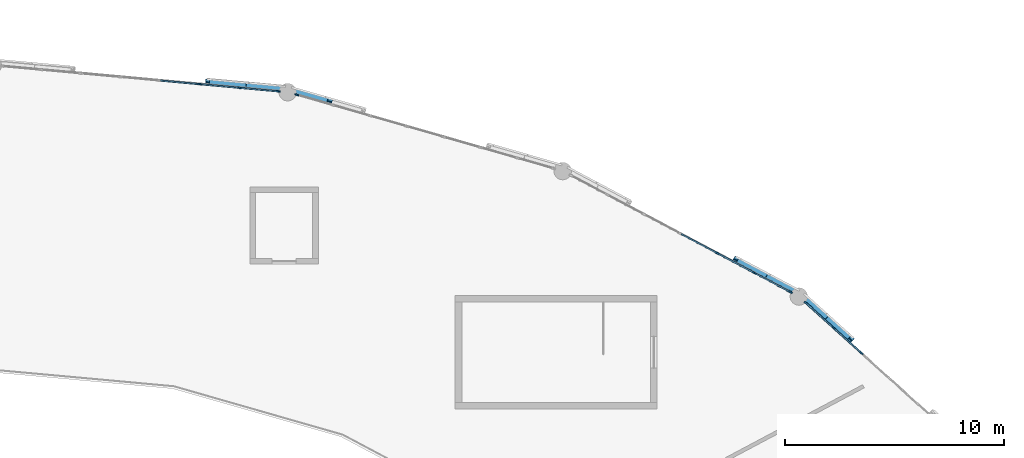
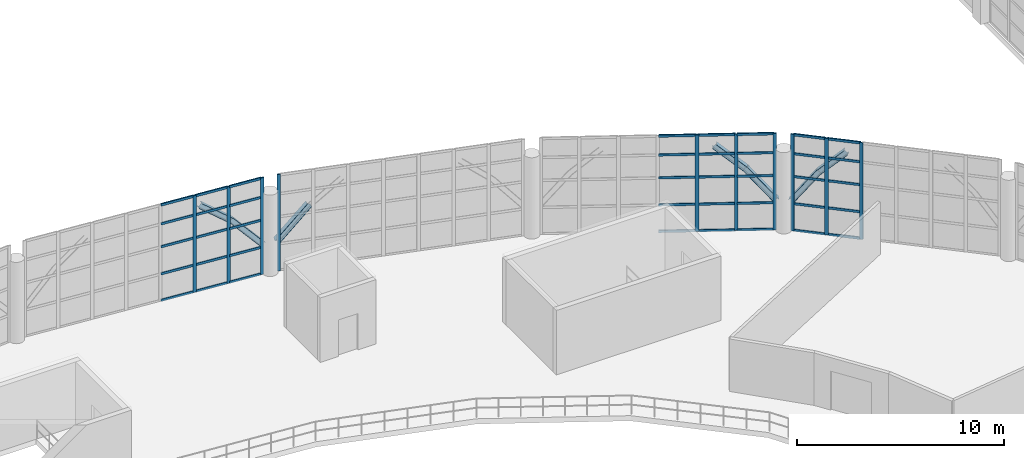
# One storey, part 43 of 109: 50 members, 7 beams, 4 elements without a shape of their own.
"""IFC4 building model written with IfcOpenShell, lengths in metres."""

from ifc_helpers import new_model, si_unit, direction, frame, origin, origin_2d, place, context, subcontext, project, spatial, rectangle, i_section, extrude, material, layer, layer_set, material_profile, profile_set, type_object, element, aggregate, save


model = new_model("IFC4")

# Units and contexts
model_context = context("Model", 3, precision=1e-05, world=origin(), true_north=direction((0.0, 1.0)))
body_context = subcontext(model_context, "Body", "Model", "MODEL_VIEW")
ifc_project = project(units=[si_unit("LENGTHUNIT", "METRE"), si_unit("AREAUNIT", "SQUARE_METRE"), si_unit("VOLUMEUNIT", "CUBIC_METRE"), si_unit("PLANEANGLEUNIT", "RADIAN"), si_unit("MASSUNIT", "GRAM", prefix="KILO")], contexts=[model_context])

# Site, building, storey
site_placement = place(None, origin())
site = spatial("IfcSite", under=ifc_project, at=site_placement, CompositionType="ELEMENT")
building_placement = place(site_placement, origin())
building = spatial("IfcBuilding", under=site, at=building_placement, Name="Kivolera Central Railway Station", CompositionType="ELEMENT")
storey_placement = place(building_placement, frame((0.0, 0.0, 9.60009765625)))
storey = spatial("IfcBuildingStorey", under=building, at=storey_placement, Name="L02", CompositionType="ELEMENT", Elevation=9.60009765625)

# Beams
ifc_material_1 = material(Name="Steel S355", Category="steel")
ifc_material_profile_1 = material_profile(ifc_material_1, i_section(OverallWidth=0.300048828125, OverallDepth=0.300048828125, WebThickness=0.010986328125, FlangeThickness=0.01904296875, FilletRadius=0.027099609375, at=origin_2d()), Name="HEB 300")
ifc_profile_set_1 = profile_set([ifc_material_profile_1], Name="Steel S355")
beam_type = type_object("IfcBeamType", Name="BM-LANT-ARCH", PredefinedType="SPANDREL", material=ifc_profile_set_1)
beam_1_placement = place(storey_placement, frame((103.125, 113.491943359375, 4.9599609375), z_axis=(-0.523541860039, 0.473044746716, -0.708613144382), x_axis=(-0.670417548864, -0.741984036334, 0.0)))
element("IfcBeam", 1, at=beam_1_placement, inside=storey, type_object=beam_type, Name="Oval Lantern Structural Arch Rib 03.5", PredefinedType="SPANDREL", context=body_context, shape_type="SweptSolid", body=[
    extrude(i_section(OverallWidth=0.300048828125, OverallDepth=0.300048828125, WebThickness=0.010986328125, FlangeThickness=0.01904296875, FilletRadius=0.027099609375, at=origin_2d()), origin(), (0.0, 0.0, 1.0), 1.91943359375),
])
beam_2_placement = place(storey_placement, frame((102.1201171875, 114.39990234375, 3.599853515625), z_axis=(-0.431185404632, 0.388705114828, -0.814240431653), x_axis=(-0.669571929078, -0.742747219309, 0.0)))
element("IfcBeam", 2, at=beam_2_placement, inside=storey, type_object=beam_type, Name="Oval Lantern Structural Arch Rib 03.6", PredefinedType="SPANDREL", context=body_context, shape_type="SweptSolid", body=[
    extrude(i_section(OverallWidth=0.300048828125, OverallDepth=0.300048828125, WebThickness=0.010986328125, FlangeThickness=0.01904296875, FilletRadius=0.027099609375, at=origin_2d()), origin(), (0.0, 0.0, 1.0), 2.333251953125),
])
beam_3_placement = place(storey_placement, frame((100.512939453125, 115.72900390625, 1.699951171875), z_axis=(-0.545793526842, 0.289668648918, 0.786257909271), x_axis=(-0.468796526023, -0.883306185413, 0.0)))
element("IfcBeam", 3, at=beam_3_placement, inside=storey, type_object=beam_type, Name="Oval Lantern Structural Arch Rib 04.1", PredefinedType="SPANDREL", context=body_context, shape_type="SweptSolid", body=[
    extrude(i_section(OverallWidth=0.300048828125, OverallDepth=0.300048828125, WebThickness=0.010986328125, FlangeThickness=0.01904296875, FilletRadius=0.027099609375, at=origin_2d()), origin(), (0.0, 0.0, 1.0), 2.41650390625),
])
beam_4_placement = place(storey_placement, frame((99.194091796875, 116.428955078125, 3.599853515625), z_axis=(-0.652784182999, 0.346644240166, 0.673580419242), x_axis=(-0.468999731448, -0.883198308367, 0.0)))
element("IfcBeam", 4, at=beam_4_placement, inside=storey, type_object=beam_type, Name="Oval Lantern Structural Arch Rib 04.2", PredefinedType="SPANDREL", context=body_context, shape_type="SweptSolid", body=[
    extrude(i_section(OverallWidth=0.300048828125, OverallDepth=0.300048828125, WebThickness=0.010986328125, FlangeThickness=0.01904296875, FilletRadius=0.027099609375, at=origin_2d()), origin(), (0.0, 0.0, 1.0), 2.019287109375),
])
beam_5_placement = place(storey_placement, frame((79.375, 124.347900390625, 3.599853515625), z_axis=(-0.620093626419, 0.17819346611, -0.764022894363), x_axis=(-0.276187953411, -0.961103643938, 0.0)))
element("IfcBeam", 5, at=beam_5_placement, inside=storey, type_object=beam_type, Name="Oval Lantern Structural Arch Rib 05.6", PredefinedType="SPANDREL", context=body_context, shape_type="SweptSolid", body=[
    extrude(i_section(OverallWidth=0.300048828125, OverallDepth=0.300048828125, WebThickness=0.010986328125, FlangeThickness=0.01904296875, FilletRadius=0.027099609375, at=origin_2d()), origin(), (0.0, 0.0, 1.0), 2.48681640625),
])
beam_6_placement = place(storey_placement, frame((77.115966796875, 124.925048828125, 1.699951171875), z_axis=(-0.656109286691, 0.059742970263, 0.752297402244), x_axis=(-0.090681275799, -0.995879965769, 0.0)))
element("IfcBeam", 6, at=beam_6_placement, inside=storey, type_object=beam_type, Name="Oval Lantern Structural Arch Rib 06.1", PredefinedType="SPANDREL", context=body_context, shape_type="SweptSolid", body=[
    extrude(i_section(OverallWidth=0.300048828125, OverallDepth=0.300048828125, WebThickness=0.010986328125, FlangeThickness=0.01904296875, FilletRadius=0.027099609375, at=origin_2d()), origin(), (0.0, 0.0, 1.0), 2.525390625),
])
beam_7_placement = place(storey_placement, frame((75.458984375, 125.075927734375, 3.599853515625), z_axis=(-0.771222269033, 0.07029694957, 0.632672546132), x_axis=(-0.090773742358, -0.995871541765, 0.0)))
element("IfcBeam", 7, at=beam_7_placement, inside=storey, type_object=beam_type, Name="Oval Lantern Structural Arch Rib 06.2", PredefinedType="SPANDREL", context=body_context, shape_type="SweptSolid", body=[
    extrude(i_section(OverallWidth=0.300048828125, OverallDepth=0.300048828125, WebThickness=0.010986328125, FlangeThickness=0.01904296875, FilletRadius=0.027099609375, at=origin_2d()), origin(), (0.0, 0.0, 1.0), 2.14990234375),
])

# Curtain wall, members
ifc_material_2 = material(Name="Anodised aluminium", Category="aluminium")
ifc_layer_1 = layer(ifc_material_2, 0.179931640625, Name="Anodised aluminium")
ifc_layer_set_1 = layer_set([ifc_layer_1], Name="Anodised aluminium")
curtain_wall_type_1 = type_object("IfcCurtainWallType", Name="CW-SYS-06", PredefinedType="NOTDEFINED", material=ifc_layer_set_1)
curtain_wall_1_placement = place(storey_placement, origin())
curtain_wall_1 = element("IfcCurtainWall", 8, at=curtain_wall_1_placement, inside=storey, type_object=curtain_wall_type_1, Name="L02 Curtain Wall CW-L02-OVL-02", PredefinedType="NOTDEFINED")
ifc_material_profile_2 = material_profile(ifc_material_2, rectangle(XDim=0.070068359375, YDim=0.179931640625, at=origin_2d()), Name="ALU MULL 70x180")
ifc_profile_set_2 = profile_set([ifc_material_profile_2], Name="Anodised aluminium")
member_type_1 = type_object("IfcMemberType", Name="CWM-MUL-1", PredefinedType="MULLION", material=ifc_profile_set_2)
member_1_placement = place(storey_placement, frame((101.093017578125, 115.16455078125, -0.005126953125), z_axis=(0.0, 0.0, 1.0), x_axis=(0.66992157428, 0.742431871833, 0.0)))
member_1 = element("IfcMember", 9, at=member_1_placement, type_object=member_type_1, Name="CW-06 mullion 1", PredefinedType="MULLION", context=body_context, shape_type="SweptSolid", body=[
    extrude(rectangle(XDim=0.070068359375, YDim=0.179931640625, at=origin_2d()), origin(), (0.0, 0.0, 1.0), 5.705078125),
])
member_2_placement = place(storey_placement, frame((102.34521484375, 114.03466796875, -0.005126953125), z_axis=(0.0, 0.0, 1.0), x_axis=(0.66992157428, 0.742431871833, 0.0)))
member_2 = element("IfcMember", 10, at=member_2_placement, type_object=member_type_1, Name="CW-06 mullion 2", PredefinedType="MULLION", context=body_context, shape_type="SweptSolid", body=[
    extrude(rectangle(XDim=0.070068359375, YDim=0.179931640625, at=origin_2d()), origin(), (0.0, 0.0, 1.0), 5.705078125),
])
member_3_placement = place(storey_placement, frame((103.623291015625, 112.88134765625, -0.005126953125), z_axis=(0.0, 0.0, 1.0), x_axis=(0.66992157428, 0.742431871833, 0.0)))
member_3 = element("IfcMember", 11, at=member_3_placement, type_object=member_type_1, Name="CW-06 mullion 3", PredefinedType="MULLION", context=body_context, shape_type="SweptSolid", body=[
    extrude(rectangle(XDim=0.070068359375, YDim=0.179931640625, at=origin_2d()), origin(), (0.0, 0.0, 1.0), 5.705078125),
])

ifc_layer_2 = layer(ifc_material_2, 0.179931640625, Name="Anodised aluminium")
ifc_layer_set_2 = layer_set([ifc_layer_2], Name="Anodised aluminium")
curtain_wall_type_2 = type_object("IfcCurtainWallType", Name="CW-SYS-09", PredefinedType="NOTDEFINED", material=ifc_layer_set_2)
curtain_wall_2_placement = place(storey_placement, origin())
curtain_wall_2 = element("IfcCurtainWall", 12, at=curtain_wall_2_placement, inside=storey, type_object=curtain_wall_type_2, Name="L02 Curtain Wall CW-L02-OVL-03", PredefinedType="NOTDEFINED")
member_4_placement = place(storey_placement, frame((97.062255859375, 117.42578125, -0.005126953125), z_axis=(0.0, 0.0, 1.0), x_axis=(0.469052563023, 0.883170251493, 0.0)))
member_4 = element("IfcMember", 13, at=member_4_placement, type_object=member_type_1, Name="CW-09 mullion 5", PredefinedType="MULLION", context=body_context, shape_type="SweptSolid", body=[
    extrude(rectangle(XDim=0.070068359375, YDim=0.179931640625, at=origin_2d()), origin(), (0.0, 0.0, 1.0), 5.705078125),
])
member_5_placement = place(storey_placement, frame((98.73974609375, 116.534912109375, -0.005126953125), z_axis=(0.0, 0.0, 1.0), x_axis=(0.469052563023, 0.883170251493, 0.0)))
member_5 = element("IfcMember", 14, at=member_5_placement, type_object=member_type_1, Name="CW-09 mullion 6", PredefinedType="MULLION", context=body_context, shape_type="SweptSolid", body=[
    extrude(rectangle(XDim=0.070068359375, YDim=0.179931640625, at=origin_2d()), origin(), (0.0, 0.0, 1.0), 5.705078125),
])
member_6_placement = place(storey_placement, frame((100.385986328125, 115.660400390625, -0.005126953125), z_axis=(0.0, 0.0, 1.0), x_axis=(0.469052563023, 0.883170251493, 0.0)))
member_6 = element("IfcMember", 15, at=member_6_placement, type_object=member_type_1, Name="CW-09 mullion 7", PredefinedType="MULLION", context=body_context, shape_type="SweptSolid", body=[
    extrude(rectangle(XDim=0.070068359375, YDim=0.179931640625, at=origin_2d()), origin(), (0.0, 0.0, 1.0), 5.705078125),
])

# Curtain wall, member
ifc_layer_3 = layer(ifc_material_2, 0.179931640625, Name="Anodised aluminium")
ifc_layer_set_3 = layer_set([ifc_layer_3], Name="Anodised aluminium")
curtain_wall_type_3 = type_object("IfcCurtainWallType", Name="CW-SYS-11", PredefinedType="NOTDEFINED", material=ifc_layer_set_3)
curtain_wall_3_placement = place(storey_placement, origin())
curtain_wall_3 = element("IfcCurtainWall", 16, at=curtain_wall_3_placement, inside=storey, type_object=curtain_wall_type_3, Name="L02 Curtain Wall CW-L02-OVL-04", PredefinedType="NOTDEFINED")
member_7_placement = place(storey_placement, frame((77.877685546875, 124.6533203125, -0.005126953125), z_axis=(0.0, 0.0, 1.0), x_axis=(0.27569168989, 0.961246114232, 0.0)))
member_7 = element("IfcMember", 17, at=member_7_placement, type_object=member_type_1, Name="CW-11 mullion 1", PredefinedType="MULLION", context=body_context, shape_type="SweptSolid", body=[
    extrude(rectangle(XDim=0.070068359375, YDim=0.179931640625, at=origin_2d()), origin(), (0.0, 0.0, 1.0), 5.705078125),
])
aggregate(curtain_wall_3, [member_7])

# Curtain wall, members
ifc_layer_4 = layer(ifc_material_2, 0.179931640625, Name="Anodised aluminium")
ifc_layer_set_4 = layer_set([ifc_layer_4], Name="Anodised aluminium")
curtain_wall_type_4 = type_object("IfcCurtainWallType", Name="CW-SYS-13", PredefinedType="NOTDEFINED", material=ifc_layer_set_4)
curtain_wall_4_placement = place(storey_placement, origin())
curtain_wall_4 = element("IfcCurtainWall", 18, at=curtain_wall_4_placement, inside=storey, type_object=curtain_wall_type_4, Name="L02 Curtain Wall CW-L02-OVL-05", PredefinedType="NOTDEFINED")
member_8_placement = place(storey_placement, frame((73.443115234375, 125.138916015625, -0.005126953125), z_axis=(0.0, 0.0, 1.0), x_axis=(0.090833556942, 0.995866087852, 0.0)))
member_8 = element("IfcMember", 19, at=member_8_placement, type_object=member_type_1, Name="CW-13 mullion 6", PredefinedType="MULLION", context=body_context, shape_type="SweptSolid", body=[
    extrude(rectangle(XDim=0.070068359375, YDim=0.179931640625, at=origin_2d()), origin(), (0.0, 0.0, 1.0), 5.705078125),
])
member_9_placement = place(storey_placement, frame((75.251953125, 124.97412109375, -0.005126953125), z_axis=(0.0, 0.0, 1.0), x_axis=(0.090833556942, 0.995866087852, 0.0)))
member_9 = element("IfcMember", 20, at=member_9_placement, type_object=member_type_1, Name="CW-13 mullion 7", PredefinedType="MULLION", context=body_context, shape_type="SweptSolid", body=[
    extrude(rectangle(XDim=0.070068359375, YDim=0.179931640625, at=origin_2d()), origin(), (0.0, 0.0, 1.0), 5.705078125),
])
member_10_placement = place(storey_placement, frame((77.026123046875, 124.812255859375, -0.005126953125), z_axis=(0.0, 0.0, 1.0), x_axis=(0.090833556942, 0.995866087852, 0.0)))
member_10 = element("IfcMember", 21, at=member_10_placement, type_object=member_type_1, Name="CW-13 mullion 8", PredefinedType="MULLION", context=body_context, shape_type="SweptSolid", body=[
    extrude(rectangle(XDim=0.070068359375, YDim=0.179931640625, at=origin_2d()), origin(), (0.0, 0.0, 1.0), 5.705078125),
])

# Member
ifc_material_profile_3 = material_profile(ifc_material_2, rectangle(XDim=0.070068359375, YDim=0.139892578125, at=origin_2d()), Name="ALU TRAN 70x140")
ifc_profile_set_3 = profile_set([ifc_material_profile_3], Name="Anodised aluminium")
member_type_2 = type_object("IfcMemberType", Name="CWM-TRN-1", PredefinedType="USERDEFINED", material=ifc_profile_set_3)
member_11_placement = place(storey_placement, frame((101.118896484375, 115.14111328125, 0.034912109375), z_axis=(0.742422429893, -0.66993203804, 0.0), x_axis=(0.66993203804, 0.742422429893, 0.0)))
member_11 = element("IfcMember", 22, at=member_11_placement, type_object=member_type_2, Name="CW-06 transom 1.1", ObjectType="TRANSOM", PredefinedType="USERDEFINED", context=body_context, shape_type="SweptSolid", body=[
    extrude(rectangle(XDim=0.070068359375, YDim=0.139892578125, at=origin_2d()), origin(), (0.0, 0.0, 1.0), 1.61669921875),
])

member_12_placement = place(storey_placement, frame((101.118896484375, 115.14111328125, 1.599853515625), z_axis=(0.742422429893, -0.66993203804, 0.0), x_axis=(0.66993203804, 0.742422429893, 0.0)))
member_12 = element("IfcMember", 23, at=member_12_placement, type_object=member_type_2, Name="CW-06 transom 1.2", ObjectType="TRANSOM", PredefinedType="USERDEFINED", context=body_context, shape_type="SweptSolid", body=[
    extrude(rectangle(XDim=0.070068359375, YDim=0.139892578125, at=origin_2d()), origin(), (0.0, 0.0, 1.0), 1.61669921875),
])

member_13_placement = place(storey_placement, frame((101.118896484375, 115.14111328125, 3.199951171875), z_axis=(0.742422429893, -0.66993203804, 0.0), x_axis=(0.66993203804, 0.742422429893, 0.0)))
member_13 = element("IfcMember", 24, at=member_13_placement, type_object=member_type_2, Name="CW-06 transom 1.3", ObjectType="TRANSOM", PredefinedType="USERDEFINED", context=body_context, shape_type="SweptSolid", body=[
    extrude(rectangle(XDim=0.070068359375, YDim=0.139892578125, at=origin_2d()), origin(), (0.0, 0.0, 1.0), 1.61669921875),
])

member_14_placement = place(storey_placement, frame((101.118896484375, 115.14111328125, 4.5498046875), z_axis=(0.742422429893, -0.66993203804, 0.0), x_axis=(0.66993203804, 0.742422429893, 0.0)))
member_14 = element("IfcMember", 25, at=member_14_placement, type_object=member_type_2, Name="CW-06 transom 1.4", ObjectType="TRANSOM", PredefinedType="USERDEFINED", context=body_context, shape_type="SweptSolid", body=[
    extrude(rectangle(XDim=0.070068359375, YDim=0.139892578125, at=origin_2d()), origin(), (0.0, 0.0, 1.0), 1.61669921875),
])

member_15_placement = place(storey_placement, frame((101.118896484375, 115.14111328125, 5.664794921875), z_axis=(0.742422429893, -0.66993203804, 0.0), x_axis=(0.66993203804, 0.742422429893, 0.0)))
member_15 = element("IfcMember", 26, at=member_15_placement, type_object=member_type_2, Name="CW-06 transom 1.5", ObjectType="TRANSOM", PredefinedType="USERDEFINED", context=body_context, shape_type="SweptSolid", body=[
    extrude(rectangle(XDim=0.070068359375, YDim=0.139892578125, at=origin_2d()), origin(), (0.0, 0.0, 1.0), 1.61669921875),
])

member_16_placement = place(storey_placement, frame((102.37109375, 114.01123046875, 0.034912109375), z_axis=(0.74246304586, -0.669887024455, 0.0), x_axis=(0.669887024455, 0.74246304586, 0.0)))
member_16 = element("IfcMember", 27, at=member_16_placement, type_object=member_type_2, Name="CW-06 transom 2.1", ObjectType="TRANSOM", PredefinedType="USERDEFINED", context=body_context, shape_type="SweptSolid", body=[
    extrude(rectangle(XDim=0.070068359375, YDim=0.139892578125, at=origin_2d()), origin(), (0.0, 0.0, 1.0), 1.651611328125),
])

member_17_placement = place(storey_placement, frame((102.37109375, 114.01123046875, 1.599853515625), z_axis=(0.74246304586, -0.669887024455, 0.0), x_axis=(0.669887024455, 0.74246304586, 0.0)))
member_17 = element("IfcMember", 28, at=member_17_placement, type_object=member_type_2, Name="CW-06 transom 2.2", ObjectType="TRANSOM", PredefinedType="USERDEFINED", context=body_context, shape_type="SweptSolid", body=[
    extrude(rectangle(XDim=0.070068359375, YDim=0.139892578125, at=origin_2d()), origin(), (0.0, 0.0, 1.0), 1.651611328125),
])

member_18_placement = place(storey_placement, frame((102.37109375, 114.01123046875, 3.199951171875), z_axis=(0.74246304586, -0.669887024455, 0.0), x_axis=(0.669887024455, 0.74246304586, 0.0)))
member_18 = element("IfcMember", 29, at=member_18_placement, type_object=member_type_2, Name="CW-06 transom 2.3", ObjectType="TRANSOM", PredefinedType="USERDEFINED", context=body_context, shape_type="SweptSolid", body=[
    extrude(rectangle(XDim=0.070068359375, YDim=0.139892578125, at=origin_2d()), origin(), (0.0, 0.0, 1.0), 1.651611328125),
])

member_19_placement = place(storey_placement, frame((102.37109375, 114.01123046875, 4.5498046875), z_axis=(0.74246304586, -0.669887024455, 0.0), x_axis=(0.669887024455, 0.74246304586, 0.0)))
member_19 = element("IfcMember", 30, at=member_19_placement, type_object=member_type_2, Name="CW-06 transom 2.4", ObjectType="TRANSOM", PredefinedType="USERDEFINED", context=body_context, shape_type="SweptSolid", body=[
    extrude(rectangle(XDim=0.070068359375, YDim=0.139892578125, at=origin_2d()), origin(), (0.0, 0.0, 1.0), 1.651611328125),
])

member_20_placement = place(storey_placement, frame((102.37109375, 114.01123046875, 5.664794921875), z_axis=(0.74246304586, -0.669887024455, 0.0), x_axis=(0.669887024455, 0.74246304586, 0.0)))
member_20 = element("IfcMember", 31, at=member_20_placement, type_object=member_type_2, Name="CW-06 transom 2.5", ObjectType="TRANSOM", PredefinedType="USERDEFINED", context=body_context, shape_type="SweptSolid", body=[
    extrude(rectangle(XDim=0.070068359375, YDim=0.139892578125, at=origin_2d()), origin(), (0.0, 0.0, 1.0), 1.651611328125),
])

aggregate(curtain_wall_1, [member_1, member_2, member_3, member_11, member_12, member_13, member_14, member_15, member_16, member_17, member_18, member_19, member_20])

member_21_placement = place(storey_placement, frame((95.416015625, 118.300048828125, 0.034912109375), z_axis=(0.88318656257, -0.469021849913, 0.0), x_axis=(0.469021849913, 0.88318656257, 0.0)))
member_21 = element("IfcMember", 32, at=member_21_placement, type_object=member_type_2, Name="CW-09 transom 4.1", ObjectType="TRANSOM", PredefinedType="USERDEFINED", context=body_context, shape_type="SweptSolid", body=[
    extrude(rectangle(XDim=0.070068359375, YDim=0.139892578125, at=origin_2d()), origin(), (0.0, 0.0, 1.0), 1.8291015625),
])

member_22_placement = place(storey_placement, frame((95.416015625, 118.300048828125, 1.599853515625), z_axis=(0.88318656257, -0.469021849913, 0.0), x_axis=(0.469021849913, 0.88318656257, 0.0)))
member_22 = element("IfcMember", 33, at=member_22_placement, type_object=member_type_2, Name="CW-09 transom 4.2", ObjectType="TRANSOM", PredefinedType="USERDEFINED", context=body_context, shape_type="SweptSolid", body=[
    extrude(rectangle(XDim=0.070068359375, YDim=0.139892578125, at=origin_2d()), origin(), (0.0, 0.0, 1.0), 1.8291015625),
])

member_23_placement = place(storey_placement, frame((95.416015625, 118.300048828125, 3.199951171875), z_axis=(0.88318656257, -0.469021849913, 0.0), x_axis=(0.469021849913, 0.88318656257, 0.0)))
member_23 = element("IfcMember", 34, at=member_23_placement, type_object=member_type_2, Name="CW-09 transom 4.3", ObjectType="TRANSOM", PredefinedType="USERDEFINED", context=body_context, shape_type="SweptSolid", body=[
    extrude(rectangle(XDim=0.070068359375, YDim=0.139892578125, at=origin_2d()), origin(), (0.0, 0.0, 1.0), 1.8291015625),
])

member_24_placement = place(storey_placement, frame((95.416015625, 118.300048828125, 4.5498046875), z_axis=(0.88318656257, -0.469021849913, 0.0), x_axis=(0.469021849913, 0.88318656257, 0.0)))
member_24 = element("IfcMember", 35, at=member_24_placement, type_object=member_type_2, Name="CW-09 transom 4.4", ObjectType="TRANSOM", PredefinedType="USERDEFINED", context=body_context, shape_type="SweptSolid", body=[
    extrude(rectangle(XDim=0.070068359375, YDim=0.139892578125, at=origin_2d()), origin(), (0.0, 0.0, 1.0), 1.8291015625),
])

member_25_placement = place(storey_placement, frame((95.416015625, 118.300048828125, 5.664794921875), z_axis=(0.88318656257, -0.469021849913, 0.0), x_axis=(0.469021849913, 0.88318656257, 0.0)))
member_25 = element("IfcMember", 36, at=member_25_placement, type_object=member_type_2, Name="CW-09 transom 4.5", ObjectType="TRANSOM", PredefinedType="USERDEFINED", context=body_context, shape_type="SweptSolid", body=[
    extrude(rectangle(XDim=0.070068359375, YDim=0.139892578125, at=origin_2d()), origin(), (0.0, 0.0, 1.0), 1.8291015625),
])

member_26_placement = place(storey_placement, frame((97.09326171875, 117.4091796875, 0.034912109375), z_axis=(0.88318656257, -0.469021849913, 0.0), x_axis=(0.469021849913, 0.88318656257, 0.0)))
member_26 = element("IfcMember", 37, at=member_26_placement, type_object=member_type_2, Name="CW-09 transom 5.1", ObjectType="TRANSOM", PredefinedType="USERDEFINED", context=body_context, shape_type="SweptSolid", body=[
    extrude(rectangle(XDim=0.070068359375, YDim=0.139892578125, at=origin_2d()), origin(), (0.0, 0.0, 1.0), 1.8291015625),
])

member_27_placement = place(storey_placement, frame((97.09326171875, 117.4091796875, 1.599853515625), z_axis=(0.88318656257, -0.469021849913, 0.0), x_axis=(0.469021849913, 0.88318656257, 0.0)))
member_27 = element("IfcMember", 38, at=member_27_placement, type_object=member_type_2, Name="CW-09 transom 5.2", ObjectType="TRANSOM", PredefinedType="USERDEFINED", context=body_context, shape_type="SweptSolid", body=[
    extrude(rectangle(XDim=0.070068359375, YDim=0.139892578125, at=origin_2d()), origin(), (0.0, 0.0, 1.0), 1.8291015625),
])

member_28_placement = place(storey_placement, frame((97.09326171875, 117.4091796875, 3.199951171875), z_axis=(0.88318656257, -0.469021849913, 0.0), x_axis=(0.469021849913, 0.88318656257, 0.0)))
member_28 = element("IfcMember", 39, at=member_28_placement, type_object=member_type_2, Name="CW-09 transom 5.3", ObjectType="TRANSOM", PredefinedType="USERDEFINED", context=body_context, shape_type="SweptSolid", body=[
    extrude(rectangle(XDim=0.070068359375, YDim=0.139892578125, at=origin_2d()), origin(), (0.0, 0.0, 1.0), 1.8291015625),
])

member_29_placement = place(storey_placement, frame((97.09326171875, 117.4091796875, 4.5498046875), z_axis=(0.88318656257, -0.469021849913, 0.0), x_axis=(0.469021849913, 0.88318656257, 0.0)))
member_29 = element("IfcMember", 40, at=member_29_placement, type_object=member_type_2, Name="CW-09 transom 5.4", ObjectType="TRANSOM", PredefinedType="USERDEFINED", context=body_context, shape_type="SweptSolid", body=[
    extrude(rectangle(XDim=0.070068359375, YDim=0.139892578125, at=origin_2d()), origin(), (0.0, 0.0, 1.0), 1.8291015625),
])

member_30_placement = place(storey_placement, frame((97.09326171875, 117.4091796875, 5.664794921875), z_axis=(0.88318656257, -0.469021849913, 0.0), x_axis=(0.469021849913, 0.88318656257, 0.0)))
member_30 = element("IfcMember", 41, at=member_30_placement, type_object=member_type_2, Name="CW-09 transom 5.5", ObjectType="TRANSOM", PredefinedType="USERDEFINED", context=body_context, shape_type="SweptSolid", body=[
    extrude(rectangle(XDim=0.070068359375, YDim=0.139892578125, at=origin_2d()), origin(), (0.0, 0.0, 1.0), 1.8291015625),
])

member_31_placement = place(storey_placement, frame((98.7705078125, 116.518310546875, 0.034912109375), z_axis=(0.883191460259, -0.469012627255, 0.0), x_axis=(0.469012627255, 0.883191460259, 0.0)))
member_31 = element("IfcMember", 42, at=member_31_placement, type_object=member_type_2, Name="CW-09 transom 6.1", ObjectType="TRANSOM", PredefinedType="USERDEFINED", context=body_context, shape_type="SweptSolid", body=[
    extrude(rectangle(XDim=0.070068359375, YDim=0.139892578125, at=origin_2d()), origin(), (0.0, 0.0, 1.0), 1.794189453125),
])

member_32_placement = place(storey_placement, frame((98.7705078125, 116.518310546875, 1.599853515625), z_axis=(0.883191460259, -0.469012627255, 0.0), x_axis=(0.469012627255, 0.883191460259, 0.0)))
member_32 = element("IfcMember", 43, at=member_32_placement, type_object=member_type_2, Name="CW-09 transom 6.2", ObjectType="TRANSOM", PredefinedType="USERDEFINED", context=body_context, shape_type="SweptSolid", body=[
    extrude(rectangle(XDim=0.070068359375, YDim=0.139892578125, at=origin_2d()), origin(), (0.0, 0.0, 1.0), 1.794189453125),
])

member_33_placement = place(storey_placement, frame((98.7705078125, 116.518310546875, 3.199951171875), z_axis=(0.883191460259, -0.469012627255, 0.0), x_axis=(0.469012627255, 0.883191460259, 0.0)))
member_33 = element("IfcMember", 44, at=member_33_placement, type_object=member_type_2, Name="CW-09 transom 6.3", ObjectType="TRANSOM", PredefinedType="USERDEFINED", context=body_context, shape_type="SweptSolid", body=[
    extrude(rectangle(XDim=0.070068359375, YDim=0.139892578125, at=origin_2d()), origin(), (0.0, 0.0, 1.0), 1.794189453125),
])

member_34_placement = place(storey_placement, frame((98.7705078125, 116.518310546875, 4.5498046875), z_axis=(0.883191460259, -0.469012627255, 0.0), x_axis=(0.469012627255, 0.883191460259, 0.0)))
member_34 = element("IfcMember", 45, at=member_34_placement, type_object=member_type_2, Name="CW-09 transom 6.4", ObjectType="TRANSOM", PredefinedType="USERDEFINED", context=body_context, shape_type="SweptSolid", body=[
    extrude(rectangle(XDim=0.070068359375, YDim=0.139892578125, at=origin_2d()), origin(), (0.0, 0.0, 1.0), 1.794189453125),
])

member_35_placement = place(storey_placement, frame((98.7705078125, 116.518310546875, 5.664794921875), z_axis=(0.883191460259, -0.469012627255, 0.0), x_axis=(0.469012627255, 0.883191460259, 0.0)))
member_35 = element("IfcMember", 46, at=member_35_placement, type_object=member_type_2, Name="CW-09 transom 6.5", ObjectType="TRANSOM", PredefinedType="USERDEFINED", context=body_context, shape_type="SweptSolid", body=[
    extrude(rectangle(XDim=0.070068359375, YDim=0.139892578125, at=origin_2d()), origin(), (0.0, 0.0, 1.0), 1.794189453125),
])

aggregate(curtain_wall_2, [member_4, member_5, member_6, member_21, member_22, member_23, member_24, member_25, member_26, member_27, member_28, member_29, member_30, member_31, member_32, member_33, member_34, member_35])

member_36_placement = place(storey_placement, frame((71.6689453125, 125.30078125, 0.034912109375), z_axis=(0.995863361258, -0.09086344537, 0.0), x_axis=(0.09086344537, 0.995863361258, 0.0)))
member_36 = element("IfcMember", 47, at=member_36_placement, type_object=member_type_2, Name="CW-13 transom 5.1", ObjectType="TRANSOM", PredefinedType="USERDEFINED", context=body_context, shape_type="SweptSolid", body=[
    extrude(rectangle(XDim=0.070068359375, YDim=0.139892578125, at=origin_2d()), origin(), (0.0, 0.0, 1.0), 1.74658203125),
])

member_37_placement = place(storey_placement, frame((71.6689453125, 125.30078125, 1.599853515625), z_axis=(0.995863361258, -0.09086344537, 0.0), x_axis=(0.09086344537, 0.995863361258, 0.0)))
member_37 = element("IfcMember", 48, at=member_37_placement, type_object=member_type_2, Name="CW-13 transom 5.2", ObjectType="TRANSOM", PredefinedType="USERDEFINED", context=body_context, shape_type="SweptSolid", body=[
    extrude(rectangle(XDim=0.070068359375, YDim=0.139892578125, at=origin_2d()), origin(), (0.0, 0.0, 1.0), 1.74658203125),
])

member_38_placement = place(storey_placement, frame((71.6689453125, 125.30078125, 3.199951171875), z_axis=(0.995863361258, -0.09086344537, 0.0), x_axis=(0.09086344537, 0.995863361258, 0.0)))
member_38 = element("IfcMember", 49, at=member_38_placement, type_object=member_type_2, Name="CW-13 transom 5.3", ObjectType="TRANSOM", PredefinedType="USERDEFINED", context=body_context, shape_type="SweptSolid", body=[
    extrude(rectangle(XDim=0.070068359375, YDim=0.139892578125, at=origin_2d()), origin(), (0.0, 0.0, 1.0), 1.74658203125),
])

member_39_placement = place(storey_placement, frame((71.6689453125, 125.30078125, 4.5498046875), z_axis=(0.995863361258, -0.09086344537, 0.0), x_axis=(0.09086344537, 0.995863361258, 0.0)))
member_39 = element("IfcMember", 50, at=member_39_placement, type_object=member_type_2, Name="CW-13 transom 5.4", ObjectType="TRANSOM", PredefinedType="USERDEFINED", context=body_context, shape_type="SweptSolid", body=[
    extrude(rectangle(XDim=0.070068359375, YDim=0.139892578125, at=origin_2d()), origin(), (0.0, 0.0, 1.0), 1.74658203125),
])

member_40_placement = place(storey_placement, frame((71.6689453125, 125.30078125, 5.664794921875), z_axis=(0.995863361258, -0.09086344537, 0.0), x_axis=(0.09086344537, 0.995863361258, 0.0)))
member_40 = element("IfcMember", 51, at=member_40_placement, type_object=member_type_2, Name="CW-13 transom 5.5", ObjectType="TRANSOM", PredefinedType="USERDEFINED", context=body_context, shape_type="SweptSolid", body=[
    extrude(rectangle(XDim=0.070068359375, YDim=0.139892578125, at=origin_2d()), origin(), (0.0, 0.0, 1.0), 1.74658203125),
])

member_41_placement = place(storey_placement, frame((73.477783203125, 125.1357421875, 0.034912109375), z_axis=(0.995876001019, -0.090724806943, 0.0), x_axis=(0.090724806943, 0.995876001019, 0.0)))
member_41 = element("IfcMember", 52, at=member_41_placement, type_object=member_type_2, Name="CW-13 transom 6.1", ObjectType="TRANSOM", PredefinedType="USERDEFINED", context=body_context, shape_type="SweptSolid", body=[
    extrude(rectangle(XDim=0.070068359375, YDim=0.139892578125, at=origin_2d()), origin(), (0.0, 0.0, 1.0), 1.74658203125),
])

member_42_placement = place(storey_placement, frame((73.477783203125, 125.1357421875, 1.599853515625), z_axis=(0.995876001019, -0.090724806943, 0.0), x_axis=(0.090724806943, 0.995876001019, 0.0)))
member_42 = element("IfcMember", 53, at=member_42_placement, type_object=member_type_2, Name="CW-13 transom 6.2", ObjectType="TRANSOM", PredefinedType="USERDEFINED", context=body_context, shape_type="SweptSolid", body=[
    extrude(rectangle(XDim=0.070068359375, YDim=0.139892578125, at=origin_2d()), origin(), (0.0, 0.0, 1.0), 1.74658203125),
])

member_43_placement = place(storey_placement, frame((73.477783203125, 125.1357421875, 3.199951171875), z_axis=(0.995876001019, -0.090724806943, 0.0), x_axis=(0.090724806943, 0.995876001019, 0.0)))
member_43 = element("IfcMember", 54, at=member_43_placement, type_object=member_type_2, Name="CW-13 transom 6.3", ObjectType="TRANSOM", PredefinedType="USERDEFINED", context=body_context, shape_type="SweptSolid", body=[
    extrude(rectangle(XDim=0.070068359375, YDim=0.139892578125, at=origin_2d()), origin(), (0.0, 0.0, 1.0), 1.74658203125),
])

member_44_placement = place(storey_placement, frame((73.477783203125, 125.1357421875, 4.5498046875), z_axis=(0.995876001019, -0.090724806943, 0.0), x_axis=(0.090724806943, 0.995876001019, 0.0)))
member_44 = element("IfcMember", 55, at=member_44_placement, type_object=member_type_2, Name="CW-13 transom 6.4", ObjectType="TRANSOM", PredefinedType="USERDEFINED", context=body_context, shape_type="SweptSolid", body=[
    extrude(rectangle(XDim=0.070068359375, YDim=0.139892578125, at=origin_2d()), origin(), (0.0, 0.0, 1.0), 1.74658203125),
])

member_45_placement = place(storey_placement, frame((73.477783203125, 125.1357421875, 5.664794921875), z_axis=(0.995876001019, -0.090724806943, 0.0), x_axis=(0.090724806943, 0.995876001019, 0.0)))
member_45 = element("IfcMember", 56, at=member_45_placement, type_object=member_type_2, Name="CW-13 transom 6.5", ObjectType="TRANSOM", PredefinedType="USERDEFINED", context=body_context, shape_type="SweptSolid", body=[
    extrude(rectangle(XDim=0.070068359375, YDim=0.139892578125, at=origin_2d()), origin(), (0.0, 0.0, 1.0), 1.74658203125),
])

member_46_placement = place(storey_placement, frame((75.286865234375, 124.970703125, 0.034912109375), z_axis=(0.995875648211, -0.090728679596, 0.0), x_axis=(0.090728679596, 0.995875648211, 0.0)))
member_46 = element("IfcMember", 57, at=member_46_placement, type_object=member_type_2, Name="CW-13 transom 7.1", ObjectType="TRANSOM", PredefinedType="USERDEFINED", context=body_context, shape_type="SweptSolid", body=[
    extrude(rectangle(XDim=0.070068359375, YDim=0.139892578125, at=origin_2d()), origin(), (0.0, 0.0, 1.0), 1.71142578125),
])

member_47_placement = place(storey_placement, frame((75.286865234375, 124.970703125, 1.599853515625), z_axis=(0.995875648211, -0.090728679596, 0.0), x_axis=(0.090728679596, 0.995875648211, 0.0)))
member_47 = element("IfcMember", 58, at=member_47_placement, type_object=member_type_2, Name="CW-13 transom 7.2", ObjectType="TRANSOM", PredefinedType="USERDEFINED", context=body_context, shape_type="SweptSolid", body=[
    extrude(rectangle(XDim=0.070068359375, YDim=0.139892578125, at=origin_2d()), origin(), (0.0, 0.0, 1.0), 1.71142578125),
])

member_48_placement = place(storey_placement, frame((75.286865234375, 124.970703125, 3.199951171875), z_axis=(0.995875648211, -0.090728679596, 0.0), x_axis=(0.090728679596, 0.995875648211, 0.0)))
member_48 = element("IfcMember", 59, at=member_48_placement, type_object=member_type_2, Name="CW-13 transom 7.3", ObjectType="TRANSOM", PredefinedType="USERDEFINED", context=body_context, shape_type="SweptSolid", body=[
    extrude(rectangle(XDim=0.070068359375, YDim=0.139892578125, at=origin_2d()), origin(), (0.0, 0.0, 1.0), 1.71142578125),
])

member_49_placement = place(storey_placement, frame((75.286865234375, 124.970703125, 4.5498046875), z_axis=(0.995875648211, -0.090728679596, 0.0), x_axis=(0.090728679596, 0.995875648211, 0.0)))
member_49 = element("IfcMember", 60, at=member_49_placement, type_object=member_type_2, Name="CW-13 transom 7.4", ObjectType="TRANSOM", PredefinedType="USERDEFINED", context=body_context, shape_type="SweptSolid", body=[
    extrude(rectangle(XDim=0.070068359375, YDim=0.139892578125, at=origin_2d()), origin(), (0.0, 0.0, 1.0), 1.71142578125),
])

member_50_placement = place(storey_placement, frame((75.286865234375, 124.970703125, 5.664794921875), z_axis=(0.995875648211, -0.090728679596, 0.0), x_axis=(0.090728679596, 0.995875648211, 0.0)))
member_50 = element("IfcMember", 61, at=member_50_placement, type_object=member_type_2, Name="CW-13 transom 7.5", ObjectType="TRANSOM", PredefinedType="USERDEFINED", context=body_context, shape_type="SweptSolid", body=[
    extrude(rectangle(XDim=0.070068359375, YDim=0.139892578125, at=origin_2d()), origin(), (0.0, 0.0, 1.0), 1.71142578125),
])

aggregate(curtain_wall_4, [member_8, member_9, member_10, member_36, member_37, member_38, member_39, member_40, member_41, member_42, member_43, member_44, member_45, member_46, member_47, member_48, member_49, member_50])

save(model, "model.ifc")
